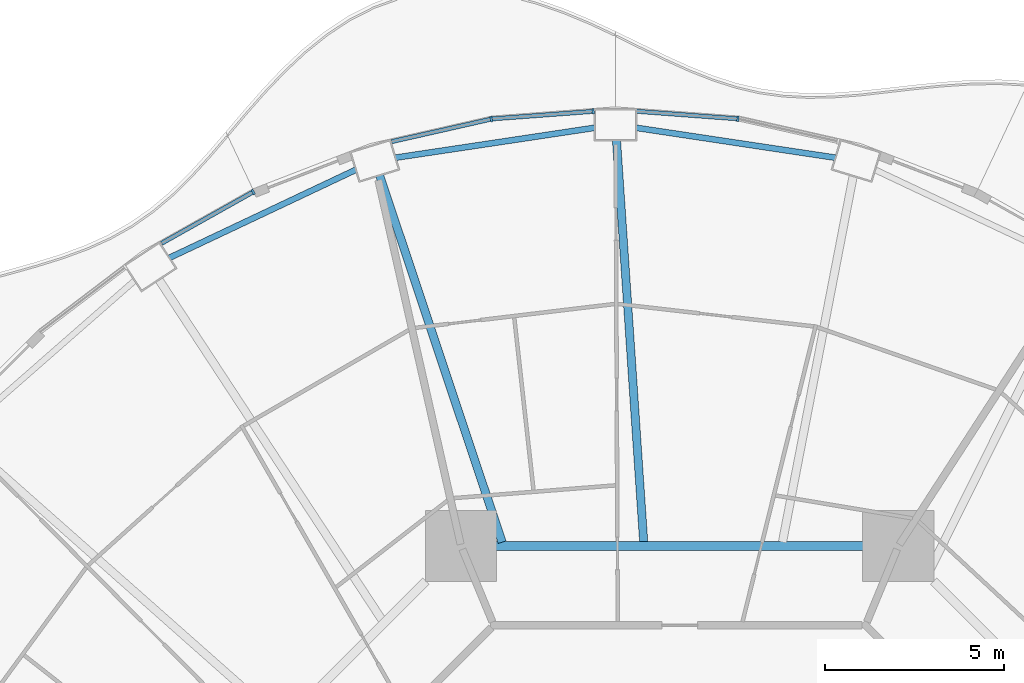
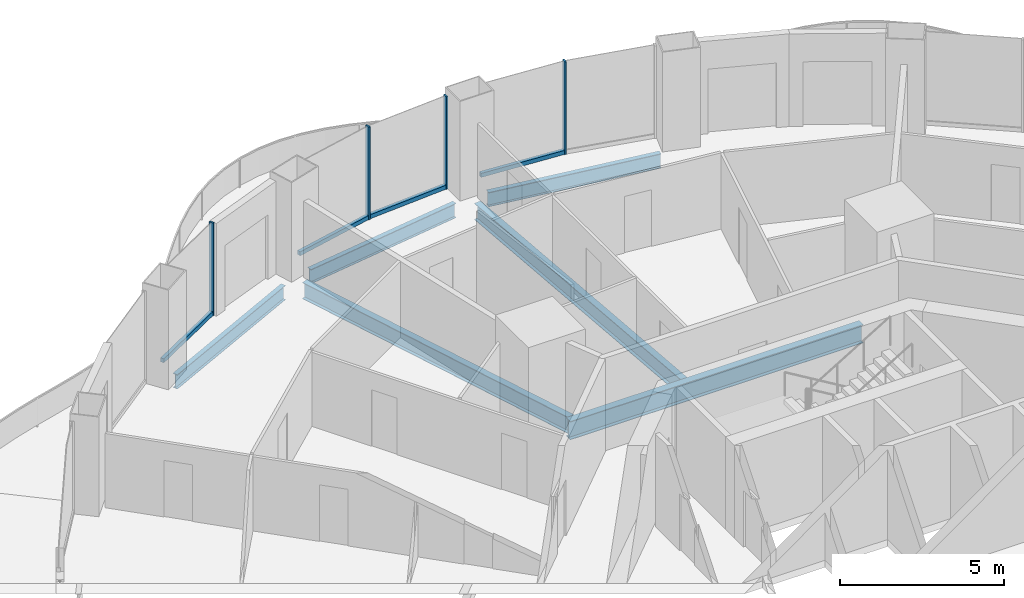
# One storey, part 7 of 20: 8 members, 6 beams, 4 elements without a shape of their own.
"""IFC4 building model written with IfcOpenShell, lengths in metres."""

from ifc_helpers import new_model, si_unit, direction, frame, origin, origin_2d, place, context, subcontext, project, spatial, rectangle, i_section, extrude, material, layer, layer_set, material_profile, profile_set, type_object, element, aggregate, save


model = new_model("IFC4")

# Units and contexts
model_context = context("Model", 3, precision=1e-05, world=origin(), true_north=direction((0.0, 1.0)))
body_context = subcontext(model_context, "Body", "Model", "MODEL_VIEW")
ifc_project = project(units=[si_unit("LENGTHUNIT", "METRE"), si_unit("AREAUNIT", "SQUARE_METRE"), si_unit("VOLUMEUNIT", "CUBIC_METRE"), si_unit("PLANEANGLEUNIT", "RADIAN"), si_unit("MASSUNIT", "GRAM", prefix="KILO")], contexts=[model_context])

# Site, building, storey
site_placement = place(None, origin())
site = spatial("IfcSite", under=ifc_project, at=site_placement, CompositionType="ELEMENT")
building_placement = place(site_placement, origin())
building = spatial("IfcBuilding", under=site, at=building_placement, Name="Nagisa Residences", CompositionType="ELEMENT")
storey_placement = place(building_placement, frame((0.0, 0.0, 152.89990234375)))
storey = spatial("IfcBuildingStorey", under=building, at=storey_placement, Name="L38", CompositionType="ELEMENT", Elevation=152.89990234375)

# Curtain wall, member
ifc_material_1 = material(Name="Concrete-coloured aluminium curtain wall system", Category="concrete")
ifc_layer = layer(ifc_material_1, 0.159912109375)
ifc_layer_set = layer_set([ifc_layer], Name="CW1 CURTAIN WALL")
curtain_wall_type = type_object("IfcCurtainWallType", Name="CW1 CURTAIN WALL", PredefinedType="NOTDEFINED", material=ifc_layer_set)
curtain_wall_1_placement = place(storey_placement, origin())
curtain_wall_1 = element("IfcCurtainWall", 1, at=curtain_wall_1_placement, inside=storey, type_object=curtain_wall_type, Name="cw:CW1:L38:11", PredefinedType="NOTDEFINED")
ifc_material_2 = material(Name="Concrete-coloured aluminium", Category="concrete")
ifc_material_profile_1 = material_profile(ifc_material_2, rectangle(XDim=0.159912109375, YDim=0.06005859375, at=origin_2d()), Name="CW1 MULLION 160x60")
ifc_profile_set_1 = profile_set([ifc_material_profile_1], Name="Concrete-coloured aluminium")
member_type_1 = type_object("IfcMemberType", Name="CW1 MULLION 160x60", PredefinedType="MULLION", material=ifc_profile_set_1)
member_1_placement = place(storey_placement, frame((1.627685546875, 26.741455078125, 0.0), z_axis=(0.0, 0.0, 1.0), x_axis=(-0.074377355493, -0.997230168512, 0.0)))
member_1 = element("IfcMember", 2, at=member_1_placement, type_object=member_type_1, Name="CW1 mullion", PredefinedType="MULLION", context=body_context, shape_type="SweptSolid", body=[
    extrude(rectangle(XDim=0.159912109375, YDim=0.06005859375, at=origin_2d()), origin(), (0.0, 0.0, 1.0), 3.440185546875),
])

curtain_wall_2_placement = place(storey_placement, origin())
curtain_wall_2 = element("IfcCurtainWall", 3, at=curtain_wall_2_placement, inside=storey, type_object=curtain_wall_type, Name="cw:CW1:L38:12", PredefinedType="NOTDEFINED")
member_2_placement = place(storey_placement, frame((-2.42236328125, 26.95068359375, 0.0), z_axis=(0.0, 0.0, 1.0), x_axis=(0.074377355493, -0.997230168512, 0.0)))
member_2 = element("IfcMember", 4, at=member_2_placement, type_object=member_type_1, Name="CW1 mullion", PredefinedType="MULLION", context=body_context, shape_type="SweptSolid", body=[
    extrude(rectangle(XDim=0.159912109375, YDim=0.06005859375, at=origin_2d()), origin(), (0.0, 0.0, 1.0), 3.440185546875),
])

curtain_wall_3_placement = place(storey_placement, origin())
curtain_wall_3 = element("IfcCurtainWall", 5, at=curtain_wall_3_placement, inside=storey, type_object=curtain_wall_type, Name="cw:CW1:L38:13", PredefinedType="NOTDEFINED")
member_3_placement = place(storey_placement, frame((-5.275146484375, 26.734375, 0.0), z_axis=(0.0, 0.0, 1.0), x_axis=(0.2207639201, -0.975327274089, 0.0)))
member_3 = element("IfcMember", 6, at=member_3_placement, type_object=member_type_1, Name="CW1 mullion", PredefinedType="MULLION", context=body_context, shape_type="SweptSolid", body=[
    extrude(rectangle(XDim=0.159912109375, YDim=0.06005859375, at=origin_2d()), origin(), (0.0, 0.0, 1.0), 3.440185546875),
])

curtain_wall_4_placement = place(storey_placement, origin())
curtain_wall_4 = element("IfcCurtainWall", 7, at=curtain_wall_4_placement, inside=storey, type_object=curtain_wall_type, Name="cw:CW1:L38:15", PredefinedType="NOTDEFINED")
member_4_placement = place(storey_placement, frame((-11.94140625, 24.6943359375, 0.0), z_axis=(0.0, 0.0, 1.0), x_axis=(0.489376918501, -0.872072377523, 0.0)))
member_4 = element("IfcMember", 8, at=member_4_placement, type_object=member_type_1, Name="CW1 mullion", PredefinedType="MULLION", context=body_context, shape_type="SweptSolid", body=[
    extrude(rectangle(XDim=0.159912109375, YDim=0.06005859375, at=origin_2d()), origin(), (0.0, 0.0, 1.0), 3.440185546875),
])

# Member
ifc_material_3 = material(Name="Concrete-coloured aluminium", Category="concrete")
ifc_material_profile_2 = material_profile(ifc_material_3, rectangle(XDim=0.1201171875, YDim=0.14990234375, at=origin_2d()), Name="CW1 TRANSOM 120x150")
ifc_profile_set_2 = profile_set([ifc_material_profile_2], Name="Concrete-coloured aluminium")
member_type_2 = type_object("IfcMemberType", Name="CW1 TRANSOM 120x150", PredefinedType="USERDEFINED", material=ifc_profile_set_2)
member_5_placement = place(storey_placement, frame((1.657470703125, 26.7392578125, 0.0751953125), z_axis=(-0.997231697044, 0.074356858535, 0.0), x_axis=(-0.074356858535, -0.997231697044, 0.0)))
member_5 = element("IfcMember", 9, at=member_5_placement, type_object=member_type_2, Name="CW1 transom", ObjectType="TRANSOM", PredefinedType="USERDEFINED", context=body_context, shape_type="SweptSolid", body=[
    extrude(rectangle(XDim=0.1201171875, YDim=0.14990234375, at=origin_2d()), origin(), (0.0, 0.0, 1.0), 2.873046875),
])

aggregate(curtain_wall_1, [member_1, member_5])

member_6_placement = place(storey_placement, frame((-2.392333984375, 26.952880859375, 0.0751953125), z_axis=(-0.997232166829, -0.074350557769, 0.0), x_axis=(0.074350557769, -0.997232166829, 0.0)))
member_6 = element("IfcMember", 10, at=member_6_placement, type_object=member_type_2, Name="CW1 transom", ObjectType="TRANSOM", PredefinedType="USERDEFINED", context=body_context, shape_type="SweptSolid", body=[
    extrude(rectangle(XDim=0.1201171875, YDim=0.14990234375, at=origin_2d()), origin(), (0.0, 0.0, 1.0), 2.873291015625),
])

aggregate(curtain_wall_2, [member_2, member_6])

member_7_placement = place(storey_placement, frame((-5.245849609375, 26.740966796875, 0.0751953125), z_axis=(-0.975320849653, -0.220792301117, 0.0), x_axis=(0.220792301117, -0.975320849653, 0.0)))
member_7 = element("IfcMember", 11, at=member_7_placement, type_object=member_type_2, Name="CW1 transom", ObjectType="TRANSOM", PredefinedType="USERDEFINED", context=body_context, shape_type="SweptSolid", body=[
    extrude(rectangle(XDim=0.1201171875, YDim=0.14990234375, at=origin_2d()), origin(), (0.0, 0.0, 1.0), 2.890380859375),
])

aggregate(curtain_wall_3, [member_3, member_7])

member_8_placement = place(storey_placement, frame((-11.915283203125, 24.708984375, 0.0751953125), z_axis=(-0.872101969379, -0.489324181914, 0.0), x_axis=(0.489324181914, -0.872101969379, 0.0)))
member_8 = element("IfcMember", 12, at=member_8_placement, type_object=member_type_2, Name="CW1 transom", ObjectType="TRANSOM", PredefinedType="USERDEFINED", context=body_context, shape_type="SweptSolid", body=[
    extrude(rectangle(XDim=0.1201171875, YDim=0.14990234375, at=origin_2d()), origin(), (0.0, 0.0, 1.0), 2.9697265625),
])

aggregate(curtain_wall_4, [member_4, member_8])

# Beams
ifc_material_4 = material(Name="Steel ASTM A572 Gr 50", Category="steel")
ifc_material_profile_3 = material_profile(ifc_material_4, i_section(OverallWidth=0.25390625, OverallDepth=0.68408203125, WebThickness=0.012451171875, FlangeThickness=0.018798828125, at=origin_2d()), Name="W690x140")
ifc_profile_set_3 = profile_set([ifc_material_profile_3], Name="Steel ASTM A572 Gr 50")
beam_type_1 = type_object("IfcBeamType", Name="Inner ring beam W690x140", PredefinedType="BEAM", material=ifc_profile_set_3)
beam_1_placement = place(storey_placement, frame((5.142822265625, 14.781982421875, -0.601806640625), z_axis=(-1.0, 0.0, 0.0), x_axis=(0.0, -1.0, 0.0)))
element("IfcBeam", 13, at=beam_1_placement, inside=storey, type_object=beam_type_1, Name="beam:L38:ib2", PredefinedType="BEAM", context=body_context, shape_type="SweptSolid", body=[
    extrude(i_section(OverallWidth=0.25390625, OverallDepth=0.68408203125, WebThickness=0.012451171875, FlangeThickness=0.018798828125, at=origin_2d()), origin(), (0.0, 0.0, 1.0), 10.28564453125),
])
ifc_material_5 = material(Name="Steel ASTM A572 Gr 50", Category="steel")
ifc_material_profile_4 = material_profile(ifc_material_5, i_section(OverallWidth=0.166015625, OverallDepth=0.534912109375, WebThickness=0.01025390625, FlangeThickness=0.0166015625, at=origin_2d()), Name="W530x85")
ifc_profile_set_4 = profile_set([ifc_material_profile_4], Name="Steel ASTM A572 Gr 50")
beam_type_2 = type_object("IfcBeamType", Name="Perimeter ring beam W530x85", PredefinedType="BEAM", material=ifc_profile_set_4)
for number, where, z_axis, x_axis, name in (
    (14, (4.3583984375, 25.652587890625, -0.52734375), (-0.9889122118, 0.148501304214, 0.0), (-0.148501304214, -0.9889122118, 0.0), "beam:L38:pb06"),
    (15, (-2.380126953125, 26.490234375, -0.52734375), (-0.9889122118, -0.148501304214, 0.0), (0.148501304214, -0.9889122118, 0.0), "beam:L38:pb07"),
):
    element("IfcBeam", number, at=place(storey_placement, frame(where, z_axis=z_axis, x_axis=x_axis)), inside=storey, type_object=beam_type_2, Name=name, PredefinedType="BEAM", context=body_context, shape_type="SweptSolid", body=[
        extrude(i_section(OverallWidth=0.166015625, OverallDepth=0.534912109375, WebThickness=0.01025390625, FlangeThickness=0.0166015625, at=origin_2d()), origin(), (0.0, 0.0, 1.0), 5.640625),
    ])
beam_2_placement = place(storey_placement, frame((-9.068603515625, 25.31494140625, -0.52734375), z_axis=(-0.904169699539, -0.427173447719, 0.0), x_axis=(0.427173447719, -0.904169699539, 0.0)))
element("IfcBeam", 16, at=beam_2_placement, inside=storey, type_object=beam_type_2, Name="beam:L38:pb08", PredefinedType="BEAM", context=body_context, shape_type="SweptSolid", body=[
    extrude(i_section(OverallWidth=0.166015625, OverallDepth=0.534912109375, WebThickness=0.01025390625, FlangeThickness=0.0166015625, at=origin_2d()), origin(), (0.0, 0.0, 1.0), 5.7724609375),
])
ifc_material_6 = material(Name="Steel ASTM A572 Gr 50", Category="steel")
ifc_material_profile_5 = material_profile(ifc_material_6, i_section(OverallWidth=0.22900390625, OverallDepth=0.612060546875, WebThickness=0.011962890625, FlangeThickness=0.01953125, at=origin_2d()), Name="W610x125")
ifc_profile_set_5 = profile_set([ifc_material_profile_5], Name="Steel ASTM A572 Gr 50")
beam_type_3 = type_object("IfcBeamType", Name="Radial beam W610x125", PredefinedType="BEAM", material=ifc_profile_set_5)
beam_3_placement = place(storey_placement, frame((-1.77099609375, 26.147216796875, -0.56591796875), z_axis=(0.067591690418, -0.997713066661, 0.0), x_axis=(0.997713066661, 0.067591690418, 0.0)))
element("IfcBeam", 17, at=beam_3_placement, inside=storey, type_object=beam_type_3, Name="beam:L38:rb07", PredefinedType="BEAM", context=body_context, shape_type="SweptSolid", body=[
    extrude(i_section(OverallWidth=0.22900390625, OverallDepth=0.612060546875, WebThickness=0.011962890625, FlangeThickness=0.01953125, at=origin_2d()), origin(), (0.0, 0.0, 1.0), 11.283935546875),
])
beam_4_placement = place(storey_placement, frame((-8.402099609375, 25.157470703125, -0.56591796875), z_axis=(0.316789297789, -0.948495936104, 0.0), x_axis=(0.948495936104, 0.316789297789, 0.0)))
element("IfcBeam", 18, at=beam_4_placement, inside=storey, type_object=beam_type_3, Name="beam:L38:rb08", PredefinedType="BEAM", context=body_context, shape_type="SweptSolid", body=[
    extrude(i_section(OverallWidth=0.22900390625, OverallDepth=0.612060546875, WebThickness=0.011962890625, FlangeThickness=0.01953125, at=origin_2d()), origin(), (0.0, 0.0, 1.0), 10.824951171875),
])

save(model, "model.ifc")
